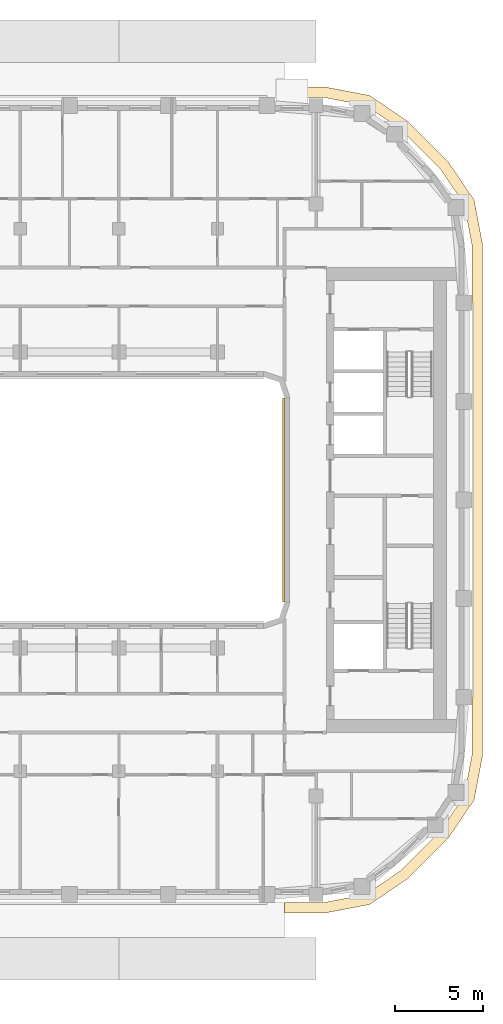
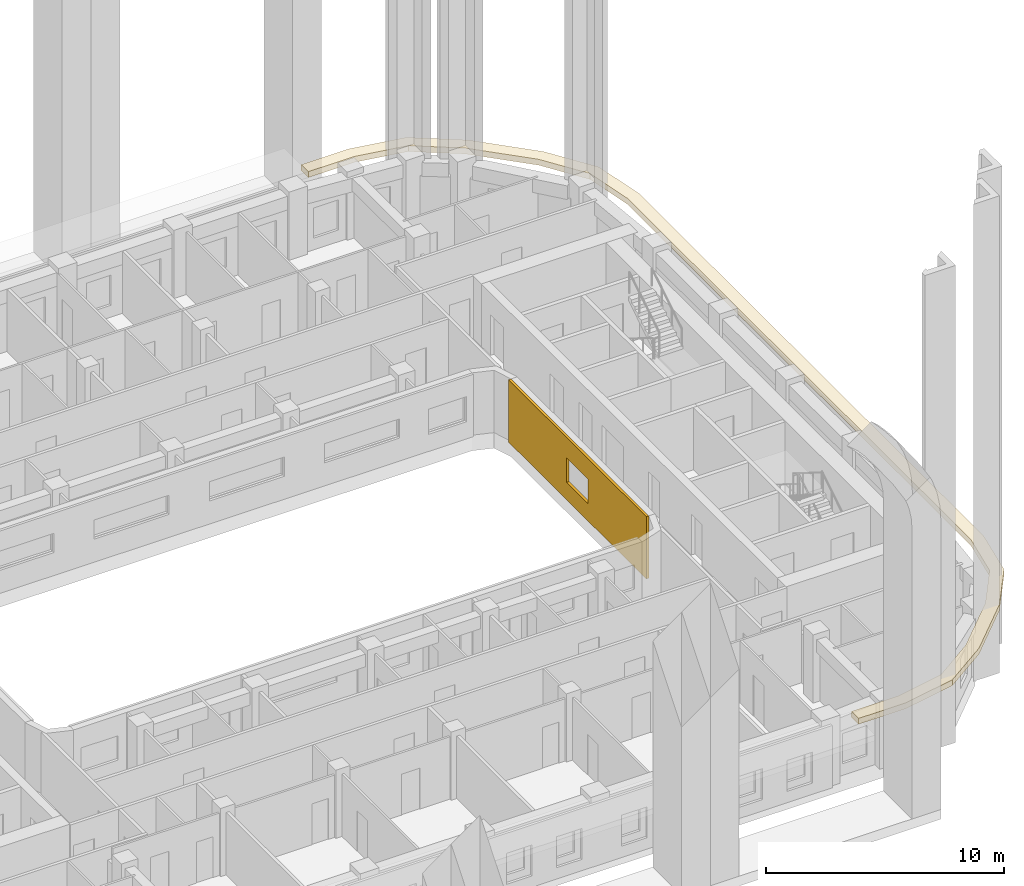
# One storey, part 16 of 20: 2 coverings.
"""IFC4 building model written with IfcOpenShell, lengths in metres."""

from ifc_helpers import new_model, si_unit, direction, frame, origin, place, context, subcontext, project, spatial, polyline, outline, extrude, material, layer, layer_set, type_object, element, save


model = new_model("IFC4")

# Units and contexts
model_context = context("Model", 3, precision=1e-05, world=origin(), true_north=direction((0.0, 1.0)))
body_context = subcontext(model_context, "Body", "Model", "MODEL_VIEW")
ifc_project = project(units=[si_unit("LENGTHUNIT", "METRE"), si_unit("AREAUNIT", "SQUARE_METRE"), si_unit("VOLUMEUNIT", "CUBIC_METRE"), si_unit("PLANEANGLEUNIT", "RADIAN"), si_unit("MASSUNIT", "GRAM", prefix="KILO")], contexts=[model_context])

# Site, building, storey
site_placement = place(None, origin())
site = spatial("IfcSite", under=ifc_project, at=site_placement, CompositionType="ELEMENT")
building_placement = place(site_placement, origin())
building = spatial("IfcBuilding", under=site, at=building_placement, Name="Kiln Ring Residences", CompositionType="ELEMENT")
storey_placement = place(building_placement, frame((0.0, 0.0, 188.89990234375)))
storey = spatial("IfcBuildingStorey", under=building, at=storey_placement, Name="L48", CompositionType="ELEMENT", Elevation=188.89990234375)

# Coverings
ifc_material_1 = material(Name="Brick masonry, dark clay brick", Category="masonry")
ifc_layer_1 = layer(ifc_material_1, 0.1201171875)
ifc_layer_set_1 = layer_set([ifc_layer_1], Name="RAINSCREEN PANEL 120")
covering_type_1 = type_object("IfcCoveringType", Name="RAINSCREEN PANEL 120", PredefinedType="CLADDING", material=ifc_layer_set_1)
covering_1_placement = place(storey_placement, frame((14.93994140625, 5.800048828125, 0.0), z_axis=(0.0, 0.0, 1.0), x_axis=(0.0, -1.0, 0.0)))
element("IfcCovering", 1, at=covering_1_placement, inside=storey, type_object=covering_type_1, Name="RAINSCREEN L48", PredefinedType="CLADDING", context=body_context, shape_type="SweptSolid", body=[
    extrude(outline(polyline([(0.0, 0.0), (11.60009765625, 0.0), (11.60009765625, 3.2001953125), (0.0, 3.2001953125), (0.0, 0.0)]), holes=[polyline([(4.89990234375, 2.150146484375), (4.89990234375, 0.900146484375), (6.699951171875, 0.900146484375), (6.699951171875, 2.150146484375), (4.89990234375, 2.150146484375)])]), frame((0.0, 0.06005859375, 0.0), z_axis=(0.0, -1.0, 0.0), x_axis=(1.0, 0.0, 0.0)), (0.0, 0.0, 1.0), 0.1201171875),
])
ifc_material_2 = material(Name="Black powder-coated steel", Category="steel")
ifc_layer_2 = layer(ifc_material_2, 0.300048828125)
ifc_layer_set_2 = layer_set([ifc_layer_2], Name="SUNSHADE FIN 600")
covering_type_2 = type_object("IfcCoveringType", Name="SUNSHADE FIN 600", PredefinedType="CLADDING", material=ifc_layer_set_2)
covering_2_placement = place(storey_placement, frame((0.0, 0.0, 3.2001953125)))
element("IfcCovering", 2, at=covering_2_placement, inside=storey, type_object=covering_type_2, Name="SUNSHADE FIN L48", PredefinedType="CLADDING", context=body_context, shape_type="SweptSolid", body=[
    extrude(outline(polyline([(17.29931640625, 23.449951171875), (15.0, 23.449951171875), (15.0, 22.85009765625), (17.242431640625, 22.85009765625), (19.60009765625, 22.400390625), (21.585205078125, 21.05126953125), (23.851318359375, 18.78515625), (25.2001953125, 16.800048828125), (25.64990234375, 14.4423828125), (25.64990234375, -14.4423828125), (25.2001953125, -16.800048828125), (23.851318359375, -18.78515625), (21.585205078125, -21.05126953125), (19.60009765625, -22.400390625), (17.242431640625, -22.85009765625), (15.0, -22.85009765625), (15.0, -23.449951171875), (17.29931640625, -23.449951171875), (19.834716796875, -22.96630859375), (21.96923828125, -21.515625), (24.315673828125, -19.169189453125), (25.766357421875, -17.03466796875), (26.25, -14.499267578125), (26.25, 14.499267578125), (25.766357421875, 17.03466796875), (24.315673828125, 19.169189453125), (21.96923828125, 21.515625), (19.834716796875, 22.96630859375), (17.29931640625, 23.449951171875)])), origin(), (0.0, 0.0, 1.0), 0.2998046875),
])

save(model, "model.ifc")
